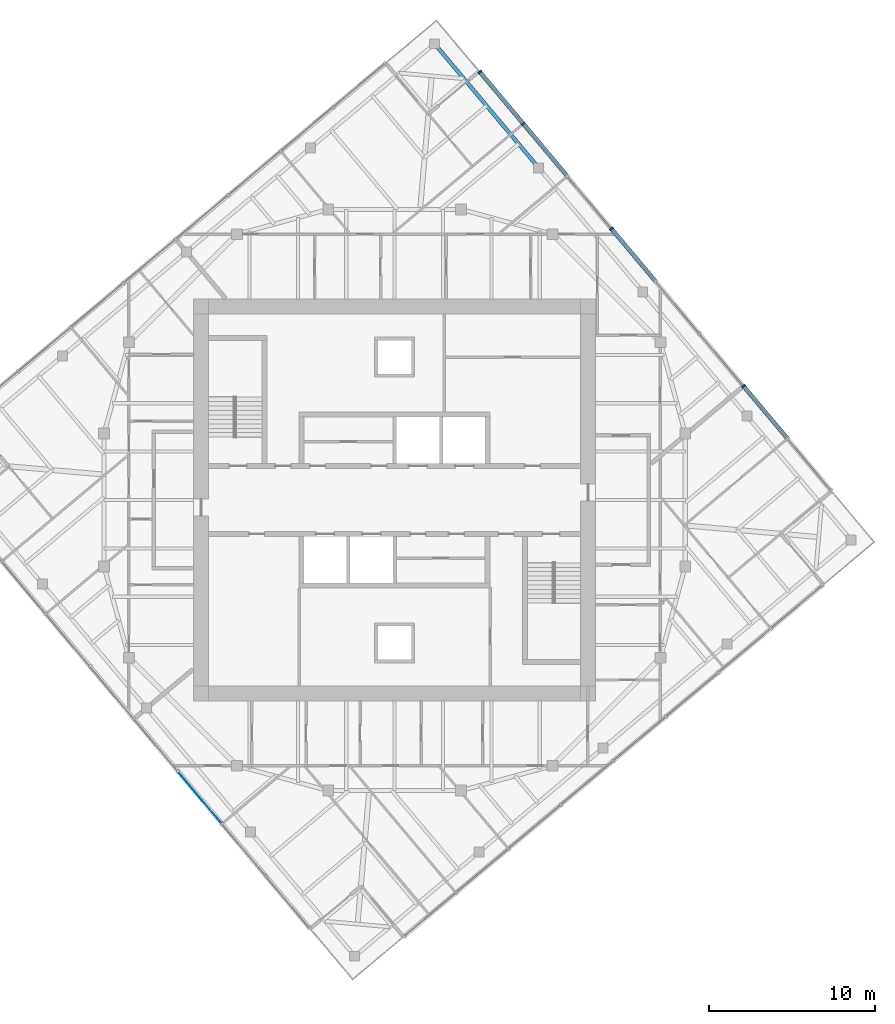
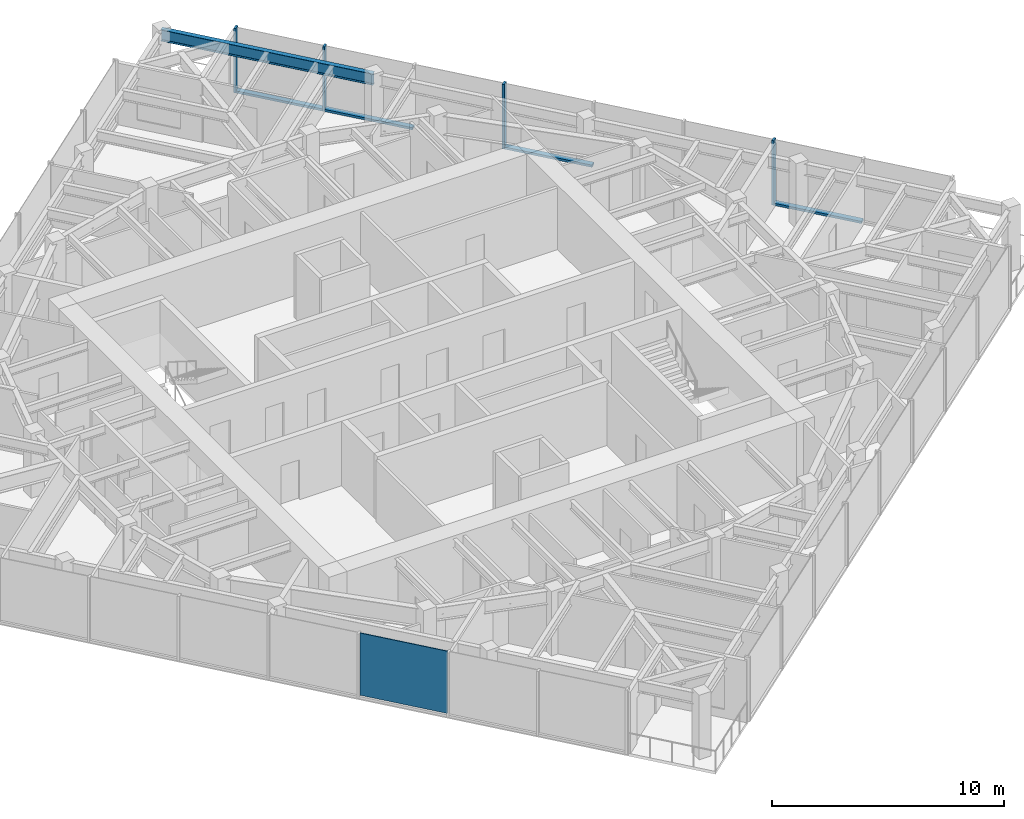
# One storey, part 5 of 12: 8 members, 1 beam, 1 plate, 2 elements without a shape of their own.
"""IFC4 building model written with IfcOpenShell, lengths in metres."""

from ifc_helpers import new_model, si_unit, direction, frame, origin, origin_2d, place, context, subcontext, project, spatial, rectangle, i_section, extrude, material, layer, layer_set, material_profile, profile_set, type_object, element, aggregate, save


model = new_model("IFC4")

# Units and contexts
model_context = context("Model", 3, precision=1e-05, world=origin(), true_north=direction((0.0, 1.0)))
body_context = subcontext(model_context, "Body", "Model", "MODEL_VIEW")
ifc_project = project(units=[si_unit("LENGTHUNIT", "METRE"), si_unit("AREAUNIT", "SQUARE_METRE"), si_unit("VOLUMEUNIT", "CUBIC_METRE"), si_unit("PLANEANGLEUNIT", "RADIAN"), si_unit("MASSUNIT", "GRAM", prefix="KILO")], contexts=[model_context])

# Site, building, storey
site_placement = place(None, origin())
site = spatial("IfcSite", under=ifc_project, at=site_placement, CompositionType="ELEMENT")
building_placement = place(site_placement, origin())
building = spatial("IfcBuilding", under=site, at=building_placement, Name="Torsade Residences", CompositionType="ELEMENT")
storey_placement = place(building_placement, frame((0.0, 0.0, 286.199951171875)))
storey = spatial("IfcBuildingStorey", under=building, at=storey_placement, Name="L79", CompositionType="ELEMENT", Elevation=286.199951171875)

# Beam
ifc_material_1 = material(Name="Steel grade 300", Category="steel")
ifc_material_profile_1 = material_profile(ifc_material_1, i_section(OverallWidth=0.22802734375, OverallDepth=0.60205078125, WebThickness=0.010498046875, FlangeThickness=0.014892578125, FilletRadius=0.013916015625, at=origin_2d()), Name="610UB101")
ifc_profile_set_1 = profile_set([ifc_material_profile_1], Name="Steel grade 300")
beam_type = type_object("IfcBeamType", Name="EDGE BEAM 610UB101", PredefinedType="SPANDREL", material=ifc_profile_set_1)
beam_placement = place(storey_placement, frame((48.670654296875, 50.003173828125, 2.948974609375), z_axis=(-0.642779160279, 0.766051532934, 0.0), x_axis=(-0.766051532934, -0.642779160279, 0.0)))
element("IfcBeam", 1, at=beam_placement, inside=storey, type_object=beam_type, Name="Edge beam 08 L80", PredefinedType="SPANDREL", context=body_context, shape_type="SweptSolid", body=[
    extrude(i_section(OverallWidth=0.22802734375, OverallDepth=0.60205078125, WebThickness=0.010498046875, FlangeThickness=0.014892578125, FilletRadius=0.013916015625, at=origin_2d()), origin(), (0.0, 0.0, 1.0), 9.75),
])

# Curtain wall, members
ifc_material_2 = material(Name="Aluminium and glass", Category="aluminium")
curtain_wall_type = type_object("IfcCurtainWallType", Name="FRITTED GLASS CURTAIN WALL HIGH ZONE", PredefinedType="NOTDEFINED", material=ifc_material_2)
curtain_wall_1_placement = place(storey_placement, origin())
curtain_wall_1 = element("IfcCurtainWall", 2, at=curtain_wall_1_placement, inside=storey, type_object=curtain_wall_type, Name="Curtain wall L79 face 4", PredefinedType="NOTDEFINED")
ifc_material_3 = material(Name="Aluminium mullion", Category="aluminium")
ifc_material_profile_2 = material_profile(ifc_material_3, rectangle(XDim=0.25, YDim=0.10009765625, at=origin_2d()), Name="HIGH ZONE CURTAIN WALL MULLION 250x100")
ifc_profile_set_2 = profile_set([ifc_material_profile_2], Name="Aluminium mullion")
member_type_1 = type_object("IfcMemberType", Name="HIGH ZONE CURTAIN WALL MULLION 250x100", PredefinedType="MULLION", material=ifc_profile_set_2)
member_1_placement = place(storey_placement, frame((61.0068359375, 36.857177734375, 0.0), z_axis=(0.0, 0.0, 1.0), x_axis=(-0.766044437106, -0.642787616853, 0.0)))
member_1 = element("IfcMember", 3, at=member_1_placement, type_object=member_type_1, Name="Mullion 3", PredefinedType="MULLION", context=body_context, shape_type="SweptSolid", body=[
    extrude(rectangle(XDim=0.25, YDim=0.10009765625, at=origin_2d()), origin(), (0.0, 0.0, 1.0), 3.400146484375),
])
member_2_placement = place(storey_placement, frame((53.052490234375, 46.337158203125, 0.0), z_axis=(0.0, 0.0, 1.0), x_axis=(-0.766044437106, -0.642787616853, 0.0)))
member_2 = element("IfcMember", 4, at=member_2_placement, type_object=member_type_1, Name="Mullion 6", PredefinedType="MULLION", context=body_context, shape_type="SweptSolid", body=[
    extrude(rectangle(XDim=0.25, YDim=0.10009765625, at=origin_2d()), origin(), (0.0, 0.0, 1.0), 3.400146484375),
])
member_3_placement = place(storey_placement, frame((47.74951171875, 52.656982421875, 0.0), z_axis=(0.0, 0.0, 1.0), x_axis=(-0.766044437106, -0.642787616853, 0.0)))
member_3 = element("IfcMember", 5, at=member_3_placement, type_object=member_type_1, Name="Mullion 8", PredefinedType="MULLION", context=body_context, shape_type="SweptSolid", body=[
    extrude(rectangle(XDim=0.25, YDim=0.10009765625, at=origin_2d()), origin(), (0.0, 0.0, 1.0), 3.400146484375),
])
member_4_placement = place(storey_placement, frame((45.130126953125, 55.778564453125, 0.0), z_axis=(0.0, 0.0, 1.0), x_axis=(-0.766044437106, -0.642787616853, 0.0)))
member_4 = element("IfcMember", 6, at=member_4_placement, type_object=member_type_1, Name="Mullion 9", PredefinedType="MULLION", context=body_context, shape_type="SweptSolid", body=[
    extrude(rectangle(XDim=0.25, YDim=0.10009765625, at=origin_2d()), origin(), (0.0, 0.0, 1.0), 3.400146484375),
])
ifc_material_4 = material(Name="Aluminium transom", Category="aluminium")
ifc_material_profile_3 = material_profile(ifc_material_4, rectangle(XDim=0.25, YDim=0.1201171875, at=origin_2d()), Name="HIGH ZONE CURTAIN WALL TRANSOM 250x120")
ifc_profile_set_3 = profile_set([ifc_material_profile_3], Name="Aluminium transom")
member_type_2 = type_object("IfcMemberType", Name="HIGH ZONE CURTAIN WALL TRANSOM 250x120", PredefinedType="USERDEFINED", material=ifc_profile_set_3)
member_5_placement = place(storey_placement, frame((63.626220703125, 33.735595703125, 0.06005859375), z_axis=(-0.6427581255, 0.766069182322, 0.0), x_axis=(-0.766069182322, -0.6427581255, 0.0)))
member_5 = element("IfcMember", 7, at=member_5_placement, type_object=member_type_2, Name="Transom 2.1", ObjectType="TRANSOM", PredefinedType="USERDEFINED", context=body_context, shape_type="SweptSolid", body=[
    extrude(rectangle(XDim=0.25, YDim=0.1201171875, at=origin_2d()), origin(), (0.0, 0.0, 1.0), 4.025146484375),
])
member_6_placement = place(storey_placement, frame((55.671875, 43.21533203125, 0.06005859375), z_axis=(-0.642793719372, 0.766039316443, 0.0), x_axis=(-0.766039316443, -0.642793719372, 0.0)))
member_6 = element("IfcMember", 8, at=member_6_placement, type_object=member_type_2, Name="Transom 5.1", ObjectType="TRANSOM", PredefinedType="USERDEFINED", context=body_context, shape_type="SweptSolid", body=[
    extrude(rectangle(XDim=0.25, YDim=0.1201171875, at=origin_2d()), origin(), (0.0, 0.0, 1.0), 4.025146484375),
])
member_7_placement = place(storey_placement, frame((50.36865234375, 49.535400390625, 0.06005859375), z_axis=(-0.642787992616, 0.766044121803, 0.0), x_axis=(-0.766044121803, -0.642787992616, 0.0)))
member_7 = element("IfcMember", 9, at=member_7_placement, type_object=member_type_2, Name="Transom 7.1", ObjectType="TRANSOM", PredefinedType="USERDEFINED", context=body_context, shape_type="SweptSolid", body=[
    extrude(rectangle(XDim=0.25, YDim=0.1201171875, at=origin_2d()), origin(), (0.0, 0.0, 1.0), 4.02490234375),
])
member_8_placement = place(storey_placement, frame((47.71728515625, 52.6953125, 0.06005859375), z_axis=(-0.642814619413, 0.766021778456, 0.0), x_axis=(-0.766021778456, -0.642814619413, 0.0)))
member_8 = element("IfcMember", 10, at=member_8_placement, type_object=member_type_2, Name="Transom 8.1", ObjectType="TRANSOM", PredefinedType="USERDEFINED", context=body_context, shape_type="SweptSolid", body=[
    extrude(rectangle(XDim=0.25, YDim=0.1201171875, at=origin_2d()), origin(), (0.0, 0.0, 1.0), 3.97509765625),
])
aggregate(curtain_wall_1, [member_1, member_2, member_3, member_4, member_5, member_6, member_7, member_8])

# Curtain wall, plate
curtain_wall_2_placement = place(storey_placement, origin())
curtain_wall_2 = element("IfcCurtainWall", 11, at=curtain_wall_2_placement, inside=storey, type_object=curtain_wall_type, Name="Curtain wall L79 face 10", PredefinedType="NOTDEFINED")
ifc_material_5 = material(Name="Laminated glass", Category="glass")
ifc_layer = layer(ifc_material_5, 0.0400390625)
ifc_layer_set = layer_set([ifc_layer], Name="Laminated glass")
plate_type = type_object("IfcPlateType", Name="OPERABLE VENT PANEL", PredefinedType="CURTAIN_PANEL", material=ifc_layer_set)
plate_placement = place(storey_placement, frame((28.2734375, 12.0830078125, 0.1201171875), z_axis=(0.0, 0.0, 1.0), x_axis=(0.642787616853, -0.766044437106, 0.0)))
plate = element("IfcPlate", 12, at=plate_placement, type_object=plate_type, Name="Panel 6", PredefinedType="CURTAIN_PANEL", context=body_context, shape_type="SweptSolid", body=[
    extrude(rectangle(XDim=4.02490234375, YDim=0.0400390625, at=origin_2d()), origin(), (0.0, 0.0, 1.0), 3.280029296875),
])
aggregate(curtain_wall_2, [plate])

save(model, "model.ifc")
